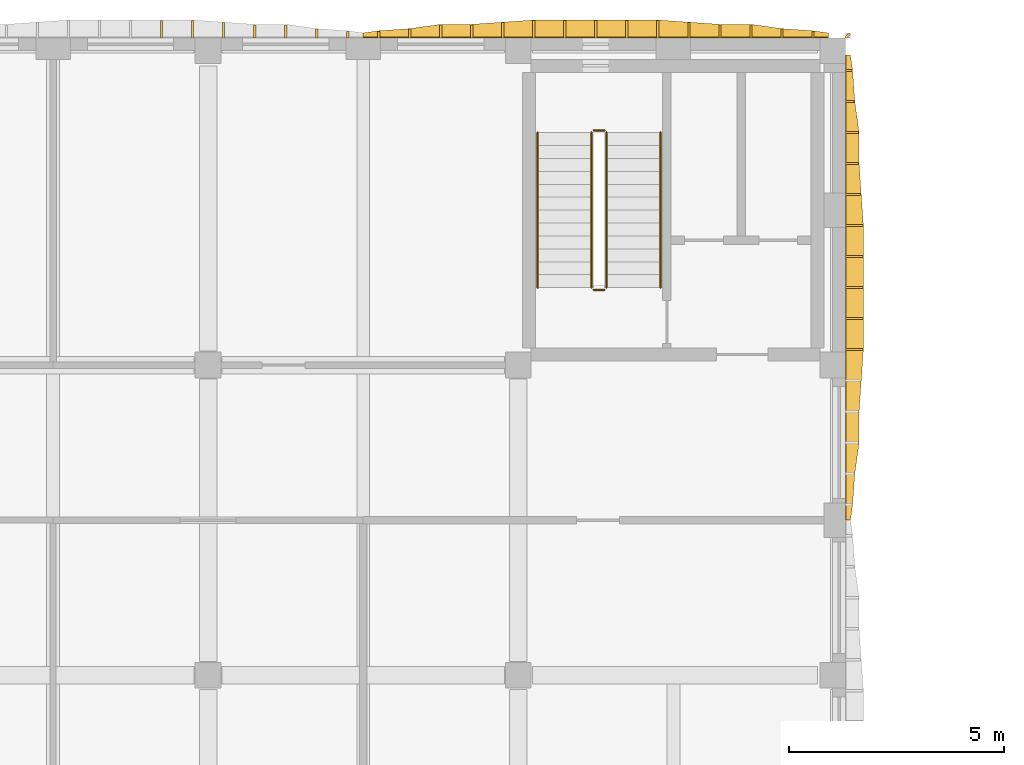
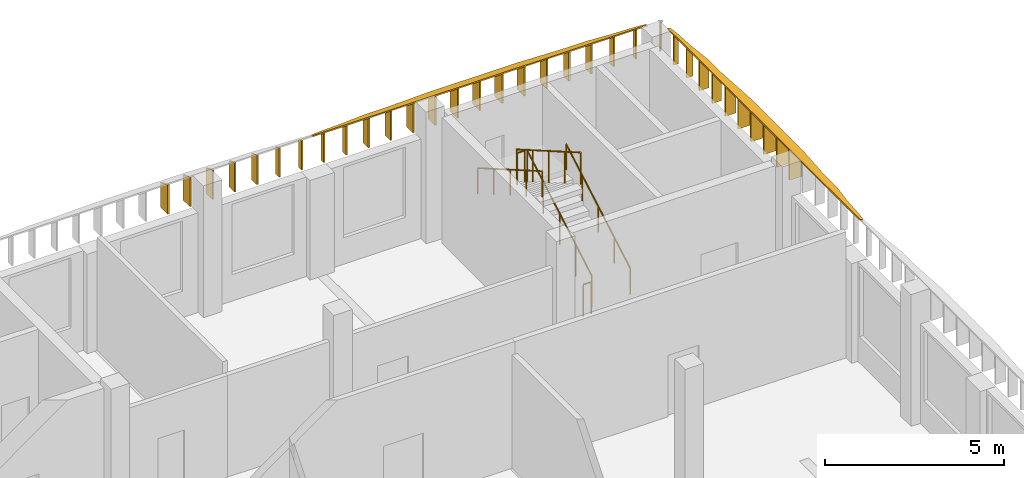
# One storey, part 40 of 44: 35 shading devices, 6 railings.
"""IFC4 building model written with IfcOpenShell, lengths in metres."""

from ifc_helpers import new_model, si_unit, direction, frame, origin, origin_2d, place, context, subcontext, project, spatial, polyline, circle, outline, extrude, material, layer, layer_set, type_object, element, save


model = new_model("IFC4")

# Units and contexts
model_context = context("Model", 3, precision=1e-05, world=origin(), true_north=direction((0.0, 1.0)))
body_context = subcontext(model_context, "Body", "Model", "MODEL_VIEW")
ifc_project = project(units=[si_unit("LENGTHUNIT", "METRE"), si_unit("AREAUNIT", "SQUARE_METRE"), si_unit("VOLUMEUNIT", "CUBIC_METRE"), si_unit("PLANEANGLEUNIT", "RADIAN"), si_unit("MASSUNIT", "GRAM", prefix="KILO")], contexts=[model_context])

# Site, building, storey
site_placement = place(None, origin())
site = spatial("IfcSite", under=ifc_project, at=site_placement, CompositionType="ELEMENT")
building_placement = place(site_placement, origin())
building = spatial("IfcBuilding", under=site, at=building_placement, Name="Ussher Court Research Institute", CompositionType="ELEMENT")
storey_placement = place(building_placement, frame((0.0, 0.0, 18.89990234375)))
storey = spatial("IfcBuildingStorey", under=building, at=storey_placement, Name="L04", CompositionType="ELEMENT", Elevation=18.89990234375)

# Shading devices
ifc_material_1 = material(Name="Bronze anodised aluminium", Category="aluminium")
ifc_layer_1 = layer(ifc_material_1, 0.050048828125)
ifc_layer_set_1 = layer_set([ifc_layer_1], Name="Bronze anodised aluminium")
shading_device_type_1 = type_object("IfcShadingDeviceType", Name="Brim blade 150 mm deep 1000 mm high canted 20 deg dry", PredefinedType="USERDEFINED", material=ifc_layer_set_1)
for number, where, z_axis, x_axis, name in (
    (1, (82.60009765625, 90.0400390625, 3.4501953125), (0.0, 0.0, 1.0), (1.0, 0.0, 0.0), "Brim blade BS16 L04"),
    (2, (71.0400390625, 90.800048828125, 3.4501953125), (0.0, 0.0, 1.0), (0.0, 1.0, 0.0), "Brim blade BS16 L04"),
    (3, (71.760009765625, 90.800048828125, 3.4501953125), (0.0, 0.0, 1.0), (0.0, 1.0, 0.0), "Brim blade BS16 L04"),
    (4, (81.840087890625, 90.800048828125, 3.4501953125), (0.0, 0.0, 1.0), (0.0, 1.0, 0.0), "Brim blade BS16 L04"),
):
    element("IfcShadingDevice", number, at=place(storey_placement, frame(where, z_axis=z_axis, x_axis=x_axis)), inside=storey, type_object=shading_device_type_1, Name=name, ObjectType="BLADE", PredefinedType="USERDEFINED", context=body_context, shape_type="SweptSolid", body=[
        extrude(outline(polyline([(0.0, 0.0), (0.14990234375, 0.0), (0.14990234375, 0.9453125), (0.0, 1.0), (0.0, 0.0)])), frame((0.0, 0.02490234375, 0.0), z_axis=(0.0, -1.0, 0.0), x_axis=(1.0, 0.0, 0.0)), (0.0, 0.0, 1.0), 0.050048828125),
    ])
ifc_material_2 = material(Name="Bronze anodised aluminium", Category="aluminium")
ifc_layer_2 = layer(ifc_material_2, 0.050048828125)
ifc_layer_set_2 = layer_set([ifc_layer_2], Name="Bronze anodised aluminium")
shading_device_type_2 = type_object("IfcShadingDeviceType", Name="Brim blade 200 mm deep 1000 mm high canted 20 deg dry", PredefinedType="USERDEFINED", material=ifc_layer_set_2)
for number, where, z_axis, x_axis, name in (
    (5, (82.60009765625, 89.320068359375, 3.4501953125), (0.0, 0.0, 1.0), (1.0, 0.0, 0.0), "Brim blade BS15 L04"),
    (6, (70.320068359375, 90.800048828125, 3.4501953125), (0.0, 0.0, 1.0), (0.0, 1.0, 0.0), "Brim blade BS15 L04"),
    (7, (72.47998046875, 90.800048828125, 3.4501953125), (0.0, 0.0, 1.0), (0.0, 1.0, 0.0), "Brim blade BS15 L04"),
    (8, (81.1201171875, 90.800048828125, 3.4501953125), (0.0, 0.0, 1.0), (0.0, 1.0, 0.0), "Brim blade BS15 L04"),
):
    element("IfcShadingDevice", number, at=place(storey_placement, frame(where, z_axis=z_axis, x_axis=x_axis)), inside=storey, type_object=shading_device_type_2, Name=name, ObjectType="BLADE", PredefinedType="USERDEFINED", context=body_context, shape_type="SweptSolid", body=[
        extrude(outline(polyline([(0.0, 0.0), (0.199951171875, 0.0), (0.199951171875, 0.927001953125), (0.0, 1.0), (0.0, 0.0)])), frame((0.0, 0.02490234375, 0.0), z_axis=(0.0, -1.0, 0.0), x_axis=(1.0, 0.0, 0.0)), (0.0, 0.0, 1.0), 0.050048828125),
    ])
ifc_material_3 = material(Name="Bronze anodised aluminium", Category="aluminium")
ifc_layer_3 = layer(ifc_material_3, 0.050048828125)
ifc_layer_set_3 = layer_set([ifc_layer_3], Name="Bronze anodised aluminium")
shading_device_type_3 = type_object("IfcShadingDeviceType", Name="Brim blade 300 mm deep 1000 mm high canted 20 deg dry", PredefinedType="USERDEFINED", material=ifc_layer_set_3)
for number, where, z_axis, x_axis, name in (
    (9, (82.60009765625, 88.60009765625, 3.4501953125), (0.0, 0.0, 1.0), (1.0, 0.0, 0.0), "Brim blade BS13 L04"),
    (10, (82.60009765625, 87.8798828125, 3.4501953125), (0.0, 0.0, 1.0), (1.0, 0.0, 0.0), "Brim blade BS13 L04"),
):
    element("IfcShadingDevice", number, at=place(storey_placement, frame(where, z_axis=z_axis, x_axis=x_axis)), inside=storey, type_object=shading_device_type_3, Name=name, ObjectType="BLADE", PredefinedType="USERDEFINED", context=body_context, shape_type="SweptSolid", body=[
        extrude(outline(polyline([(0.0, 0.0), (0.2998046875, 0.0), (0.300048828125, 0.890625), (0.0, 1.0), (0.0, 0.0)])), frame((0.0, 0.02490234375, 0.0), z_axis=(0.0, -1.0, 0.0), x_axis=(1.0, 0.0, 0.0)), (0.0, 0.0, 1.0), 0.050048828125),
    ])
for number, where, z_axis, x_axis, name in (
    (11, (68.8798828125, 90.800048828125, 3.4501953125), (0.0, 0.0, 1.0), (0.0, 1.0, 0.0), "Brim blade BS13 L04"),
    (12, (69.60009765625, 90.800048828125, 3.4501953125), (0.0, 0.0, 1.0), (0.0, 1.0, 0.0), "Brim blade BS13 L04"),
    (13, (73.199951171875, 90.800048828125, 3.4501953125), (0.0, 0.0, 1.0), (0.0, 1.0, 0.0), "Brim blade BS13 L04"),
    (14, (73.919921875, 90.800048828125, 3.4501953125), (0.0, 0.0, 1.0), (0.0, 1.0, 0.0), "Brim blade BS13 L04"),
    (15, (79.679931640625, 90.800048828125, 3.4501953125), (0.0, 0.0, 1.0), (0.0, 1.0, 0.0), "Brim blade BS13 L04"),
    (16, (80.39990234375, 90.800048828125, 3.4501953125), (0.0, 0.0, 1.0), (0.0, 1.0, 0.0), "Brim blade BS13 L04"),
):
    element("IfcShadingDevice", number, at=place(storey_placement, frame(where, z_axis=z_axis, x_axis=x_axis)), inside=storey, type_object=shading_device_type_3, Name=name, ObjectType="BLADE", PredefinedType="USERDEFINED", context=body_context, shape_type="SweptSolid", body=[
        extrude(outline(polyline([(0.0, 0.0), (0.300048828125, 0.0), (0.300048828125, 0.890625), (0.0, 1.0), (0.0, 0.0)])), frame((0.0, 0.02490234375, 0.0), z_axis=(0.0, -1.0, 0.0), x_axis=(1.0, 0.0, 0.0)), (0.0, 0.0, 1.0), 0.050048828125),
    ])
ifc_material_4 = material(Name="Bronze anodised aluminium", Category="aluminium")
ifc_layer_4 = layer(ifc_material_4, 0.050048828125)
ifc_layer_set_4 = layer_set([ifc_layer_4], Name="Bronze anodised aluminium")
shading_device_type_4 = type_object("IfcShadingDeviceType", Name="Brim blade 350 mm deep 1000 mm high canted 20 deg dry", PredefinedType="USERDEFINED", material=ifc_layer_set_4)
for number, where, z_axis, x_axis, name in (
    (17, (82.60009765625, 87.159912109375, 3.4501953125), (0.0, 0.0, 1.0), (1.0, 0.0, 0.0), "Brim blade BS12 L04"),
    (18, (68.159912109375, 90.800048828125, 3.4501953125), (0.0, 0.0, 1.0), (0.0, 1.0, 0.0), "Brim blade BS12 L04"),
    (19, (74.639892578125, 90.800048828125, 3.4501953125), (0.0, 0.0, 1.0), (0.0, 1.0, 0.0), "Brim blade BS12 L04"),
    (20, (78.9599609375, 90.800048828125, 3.4501953125), (0.0, 0.0, 1.0), (0.0, 1.0, 0.0), "Brim blade BS12 L04"),
):
    element("IfcShadingDevice", number, at=place(storey_placement, frame(where, z_axis=z_axis, x_axis=x_axis)), inside=storey, type_object=shading_device_type_4, Name=name, ObjectType="BLADE", PredefinedType="USERDEFINED", context=body_context, shape_type="SweptSolid", body=[
        extrude(outline(polyline([(0.0, 0.0), (0.349853515625, 0.0), (0.35009765625, 0.87255859375), (0.0, 1.0), (0.0, 0.0)])), frame((0.0, 0.02490234375, 0.0), z_axis=(0.0, -1.0, 0.0), x_axis=(1.0, 0.0, 0.0)), (0.0, 0.0, 1.0), 0.050048828125),
    ])
ifc_material_5 = material(Name="Bronze anodised aluminium", Category="aluminium")
ifc_layer_5 = layer(ifc_material_5, 0.050048828125)
ifc_layer_set_5 = layer_set([ifc_layer_5], Name="Bronze anodised aluminium")
shading_device_type_5 = type_object("IfcShadingDeviceType", Name="Brim blade 400 mm deep 1000 mm high canted 20 deg dry", PredefinedType="USERDEFINED", material=ifc_layer_set_5)
for number, where, z_axis, x_axis, name in (
    (21, (82.60009765625, 86.43994140625, 3.4501953125), (0.0, 0.0, 1.0), (1.0, 0.0, 0.0), "Brim blade BS11 L04"),
    (22, (82.60009765625, 85.719970703125, 3.4501953125), (0.0, 0.0, 1.0), (1.0, 0.0, 0.0), "Brim blade BS11 L04"),
    (23, (82.60009765625, 85.0, 3.4501953125), (0.0, 0.0, 1.0), (1.0, 0.0, 0.0), "Brim blade BS11 L04"),
    (24, (82.60009765625, 84.280029296875, 3.4501953125), (0.0, 0.0, 1.0), (1.0, 0.0, 0.0), "Brim blade BS11 L04"),
    (25, (82.60009765625, 83.56005859375, 3.4501953125), (0.0, 0.0, 1.0), (1.0, 0.0, 0.0), "Brim blade BS11 L04"),
    (26, (66.719970703125, 90.800048828125, 3.4501953125), (0.0, 0.0, 1.0), (0.0, 1.0, 0.0), "Brim blade BS11 L04"),
    (27, (67.43994140625, 90.800048828125, 3.4501953125), (0.0, 0.0, 1.0), (0.0, 1.0, 0.0), "Brim blade BS11 L04"),
    (28, (75.360107421875, 90.800048828125, 3.4501953125), (0.0, 0.0, 1.0), (0.0, 1.0, 0.0), "Brim blade BS11 L04"),
    (29, (76.080078125, 90.800048828125, 3.4501953125), (0.0, 0.0, 1.0), (0.0, 1.0, 0.0), "Brim blade BS11 L04"),
    (30, (76.800048828125, 90.800048828125, 3.4501953125), (0.0, 0.0, 1.0), (0.0, 1.0, 0.0), "Brim blade BS11 L04"),
    (31, (77.52001953125, 90.800048828125, 3.4501953125), (0.0, 0.0, 1.0), (0.0, 1.0, 0.0), "Brim blade BS11 L04"),
    (32, (78.239990234375, 90.800048828125, 3.4501953125), (0.0, 0.0, 1.0), (0.0, 1.0, 0.0), "Brim blade BS11 L04"),
):
    element("IfcShadingDevice", number, at=place(storey_placement, frame(where, z_axis=z_axis, x_axis=x_axis)), inside=storey, type_object=shading_device_type_5, Name=name, ObjectType="BLADE", PredefinedType="USERDEFINED", context=body_context, shape_type="SweptSolid", body=[
        extrude(outline(polyline([(0.0, 0.0), (0.39990234375, 0.0), (0.39990234375, 0.854248046875), (0.0, 1.0), (0.0, 0.0)])), frame((0.0, 0.02490234375, 0.0), z_axis=(0.0, -1.0, 0.0), x_axis=(1.0, 0.0, 0.0)), (0.0, 0.0, 1.0), 0.050048828125),
    ])
ifc_material_6 = material(Name="Bronze anodised aluminium", Category="aluminium")
ifc_layer_6 = layer(ifc_material_6, 0.050048828125)
ifc_layer_set_6 = layer_set([ifc_layer_6], Name="Bronze anodised aluminium")
shading_device_type_6 = type_object("IfcShadingDeviceType", Name="Brim mitre blade 100 mm deep 1000 mm high canted 20 deg dry", PredefinedType="USERDEFINED", material=ifc_layer_set_6)
shading_device_1_placement = place(storey_placement, frame((82.60009765625, 90.800048828125, 3.4501953125), z_axis=(0.0, 0.0, 1.0), x_axis=(0.707106781187, 0.707106781187, 0.0)))
element("IfcShadingDevice", 33, at=shading_device_1_placement, inside=storey, type_object=shading_device_type_6, Name="Brim mitre blade BS19 L04", ObjectType="BLADE", PredefinedType="USERDEFINED", context=body_context, shape_type="SweptSolid", body=[
    extrude(outline(polyline([(0.0, 0.0), (0.14111328125, 0.0), (0.141357421875, 0.927001953125), (0.0, 1.0), (0.0, 0.0)])), frame((0.0, 0.02490234375, 0.0), z_axis=(0.0, -1.0, 0.0), x_axis=(1.0, 0.0, 0.0)), (0.0, 0.0, 1.0), 0.050048828125),
])
ifc_material_7 = material(Name="Bronze anodised aluminium", Category="aluminium")
ifc_layer_7 = layer(ifc_material_7, 0.0400390625)
ifc_layer_set_7 = layer_set([ifc_layer_7], Name="Bronze anodised aluminium")
shading_device_type_7 = type_object("IfcShadingDeviceType", Name="Brim visor sheet 40 mm canted 20 deg dry", PredefinedType="USERDEFINED", material=ifc_layer_set_7)
shading_device_2_placement = place(storey_placement, frame((82.61376953125, 90.39990234375, 4.48779296875), z_axis=(0.342477773768, 0.0, 0.939525930709), x_axis=(0.0, -1.0, 0.0)))
element("IfcShadingDevice", 34, at=shading_device_2_placement, inside=storey, type_object=shading_device_type_7, Name="Brim visor sheet BR2 L04", ObjectType="BRIM", PredefinedType="USERDEFINED", context=body_context, shape_type="SweptSolid", body=[
    extrude(outline(polyline([(0.0, 0.0), (10.7998046875, 0.0), (10.7998046875, 0.10627326512487273), (10.43994140625, 0.1595663922801408), (9.719970703125, 0.21285951943540887), (9.0, 0.3193621610082086), (8.27978515625, 0.3193621610082086), (7.559814453125, 0.37234229897781324), (6.83984375, 0.4256354261330813), (6.119873046875, 0.4256354261330813), (5.39990234375, 0.4256354261330813), (4.679931640625, 0.4256354261330813), (3.9599609375, 0.4256354261330813), (3.239990234375, 0.37234229897781324), (2.52001953125, 0.3193621610082086), (1.7998046875, 0.3193621610082086), (1.079833984375, 0.21285951943540887), (0.35986328125, 0.1595663922801408), (0.0, 0.10627326512487273), (0.0, 0.0)])), origin(), (0.0, 0.0, -1.0), 0.0400390625),
])
shading_device_3_placement = place(storey_placement, frame((71.39990234375, 90.813720703125, 4.48779296875), z_axis=(0.0, 0.342437439102, 0.939540632597), x_axis=(1.0, 0.0, 0.0)))
element("IfcShadingDevice", 35, at=shading_device_3_placement, inside=storey, type_object=shading_device_type_7, Name="Brim visor sheet BR2 L04", ObjectType="BRIM", PredefinedType="USERDEFINED", context=body_context, shape_type="SweptSolid", body=[
    extrude(outline(polyline([(0.0, 0.0), (10.800048828125, 0.0), (10.800048828125, 0.1065026459450868), (10.440185546875, 0.15956639032557793), (9.72021484375, 0.21285951474332424), (9.0, 0.319362160688411), (8.280029296875, 0.319362160688411), (7.56005859375, 0.3725716822157515), (6.840087890625, 0.42563542659624265), (6.1201171875, 0.42563542659624265), (5.400146484375, 0.42563542659624265), (4.68017578125, 0.42563542659624265), (3.960205078125, 0.42563542659624265), (3.239990234375, 0.3725716822157515), (2.52001953125, 0.319362160688411), (1.800048828125, 0.319362160688411), (1.080078125, 0.21285951474332424), (0.360107421875, 0.15956639032557793), (0.0, 0.1065026459450868), (0.0, 0.0)])), origin(), (0.0, 0.0, -1.0), 0.0400390625),
])

# Railings
ifc_material_8 = material(Name="Painted steel balustrade", Category="steel")
railing_type_1 = type_object("IfcRailingType", Name="Stair guard 1100 steel balustrade", PredefinedType="GUARDRAIL", material=ifc_material_8)
railing_1_placement = place(storey_placement, frame((77.050048828125, 85.0, 0.173095703125)))
element("IfcRailing", 36, at=railing_1_placement, inside=storey, type_object=railing_type_1, Name="L04 D3 stair guard 1", PredefinedType="GUARDRAIL", context=body_context, shape_type="SweptSolid", body=[
    extrude(circle(Radius=0.02392578125, at=origin_2d()), frame((0.0, 0.0, 1.076171875), z_axis=(0.0, 0.866193409371, 0.499708892819), x_axis=(-1.0, 0.0, 0.0)), (0.0, 0.0, 1.0), 4.15625),
    extrude(circle(Radius=0.02099609375, at=origin_2d()), origin(), (0.0, 0.0, 1.0), 1.052001953125),
    extrude(circle(Radius=0.02099609375, at=origin_2d()), frame((0.0, 0.89990234375, 0.519287109375)), (0.0, 0.0, 1.0), 1.052001953125),
    extrude(circle(Radius=0.02099609375, at=origin_2d()), frame((0.0, 1.800048828125, 1.03857421875)), (0.0, 0.0, 1.0), 1.052001953125),
    extrude(circle(Radius=0.02099609375, at=origin_2d()), frame((0.0, 2.7001953125, 1.5576171875)), (0.0, 0.0, 1.0), 1.052001953125),
    extrude(circle(Radius=0.02099609375, at=origin_2d()), frame((0.0, 3.60009765625, 2.076904296875)), (0.0, 0.0, 1.0), 1.052001953125),
])
railing_2_placement = place(storey_placement, frame((77.0, 88.64990234375, 2.25)))
element("IfcRailing", 37, at=railing_2_placement, inside=storey, type_object=railing_type_1, Name="L04 D3 stair guard 2", PredefinedType="GUARDRAIL", context=body_context, shape_type="SweptSolid", body=[
    extrude(circle(Radius=0.02392578125, at=origin_2d()), frame((0.0, 0.0, 1.076171875), z_axis=(-1.0, 0.0, 0.0), x_axis=(0.0, -1.0, 0.0)), (0.0, 0.0, 1.0), 0.25),
    extrude(circle(Radius=0.02099609375, at=origin_2d()), origin(), (0.0, 0.0, 1.0), 1.052001953125),
    extrude(circle(Radius=0.02099609375, at=origin_2d()), frame((-0.25, 0.0, 0.0)), (0.0, 0.0, 1.0), 1.052001953125),
])
railing_3_placement = place(storey_placement, frame((76.699951171875, 88.60009765625, 2.423095703125)))
element("IfcRailing", 38, at=railing_3_placement, inside=storey, type_object=railing_type_1, Name="L04 D3 stair guard 3", PredefinedType="GUARDRAIL", context=body_context, shape_type="SweptSolid", body=[
    extrude(circle(Radius=0.02392578125, at=origin_2d()), frame((0.0, 0.0, 1.076171875), z_axis=(0.0, -0.866193409371, 0.499708892819), x_axis=(1.0, 0.0, 0.0)), (0.0, 0.0, 1.0), 4.15625),
    extrude(circle(Radius=0.02099609375, at=origin_2d()), origin(), (0.0, 0.0, 1.0), 1.052001953125),
    extrude(circle(Radius=0.02099609375, at=origin_2d()), frame((0.0, -0.89990234375, 0.519287109375)), (0.0, 0.0, 1.0), 1.052001953125),
    extrude(circle(Radius=0.02099609375, at=origin_2d()), frame((0.0, -1.800048828125, 1.03857421875)), (0.0, 0.0, 1.0), 1.052001953125),
    extrude(circle(Radius=0.02099609375, at=origin_2d()), frame((0.0, -2.7001953125, 1.5576171875)), (0.0, 0.0, 1.0), 1.052001953125),
    extrude(circle(Radius=0.02099609375, at=origin_2d()), frame((0.0, -3.60009765625, 2.076904296875)), (0.0, 0.0, 1.0), 1.052001953125),
])
railing_4_placement = place(storey_placement, frame((77.0, 84.949951171875, 0.0)))
element("IfcRailing", 39, at=railing_4_placement, inside=storey, type_object=railing_type_1, Name="L04 D3 stair guard 4", PredefinedType="GUARDRAIL", context=body_context, shape_type="SweptSolid", body=[
    extrude(circle(Radius=0.02392578125, at=origin_2d()), frame((0.0, 0.0, 1.076171875), z_axis=(-1.0, 0.0, 0.0), x_axis=(0.0, -1.0, 0.0)), (0.0, 0.0, 1.0), 0.25),
    extrude(circle(Radius=0.02099609375, at=origin_2d()), origin(), (0.0, 0.0, 1.0), 1.052001953125),
    extrude(circle(Radius=0.02099609375, at=origin_2d()), frame((-0.25, 0.0, 0.0)), (0.0, 0.0, 1.0), 1.052001953125),
])
ifc_material_9 = material(Name="Painted steel handrail", Category="steel")
railing_type_2 = type_object("IfcRailingType", Name="Stair handrail 900 steel", PredefinedType="HANDRAIL", material=ifc_material_9)
railing_5_placement = place(storey_placement, frame((78.300048828125, 85.0, 0.173095703125)))
element("IfcRailing", 40, at=railing_5_placement, inside=storey, type_object=railing_type_2, Name="L04 D3 stair handrail 1", PredefinedType="HANDRAIL", context=body_context, shape_type="SweptSolid", body=[
    extrude(circle(Radius=0.02392578125, at=origin_2d()), frame((0.0, 0.0, 0.8759765625), z_axis=(0.0, 0.866193409371, 0.499708892819), x_axis=(-1.0, 0.0, 0.0)), (0.0, 0.0, 1.0), 4.15625),
    extrude(circle(Radius=0.02099609375, at=origin_2d()), origin(), (0.0, 0.0, 1.0), 0.851806640625),
    extrude(circle(Radius=0.02099609375, at=origin_2d()), frame((0.0, 0.89990234375, 0.519287109375)), (0.0, 0.0, 1.0), 0.851806640625),
    extrude(circle(Radius=0.02099609375, at=origin_2d()), frame((0.0, 1.800048828125, 1.03857421875)), (0.0, 0.0, 1.0), 0.851806640625),
    extrude(circle(Radius=0.02099609375, at=origin_2d()), frame((0.0, 2.7001953125, 1.5576171875)), (0.0, 0.0, 1.0), 0.851806640625),
    extrude(circle(Radius=0.02099609375, at=origin_2d()), frame((0.0, 3.60009765625, 2.076904296875)), (0.0, 0.0, 1.0), 0.851806640625),
])
railing_6_placement = place(storey_placement, frame((75.449951171875, 88.60009765625, 2.423095703125)))
element("IfcRailing", 41, at=railing_6_placement, inside=storey, type_object=railing_type_2, Name="L04 D3 stair handrail 2", PredefinedType="HANDRAIL", context=body_context, shape_type="SweptSolid", body=[
    extrude(circle(Radius=0.02392578125, at=origin_2d()), frame((0.0, 0.0, 0.8759765625), z_axis=(0.0, -0.866193409371, 0.499708892819), x_axis=(1.0, 0.0, 0.0)), (0.0, 0.0, 1.0), 4.15625),
    extrude(circle(Radius=0.02099609375, at=origin_2d()), origin(), (0.0, 0.0, 1.0), 0.851806640625),
    extrude(circle(Radius=0.02099609375, at=origin_2d()), frame((0.0, -0.89990234375, 0.519287109375)), (0.0, 0.0, 1.0), 0.851806640625),
    extrude(circle(Radius=0.02099609375, at=origin_2d()), frame((0.0, -1.800048828125, 1.03857421875)), (0.0, 0.0, 1.0), 0.851806640625),
    extrude(circle(Radius=0.02099609375, at=origin_2d()), frame((0.0, -2.7001953125, 1.5576171875)), (0.0, 0.0, 1.0), 0.851806640625),
    extrude(circle(Radius=0.02099609375, at=origin_2d()), frame((0.0, -3.60009765625, 2.076904296875)), (0.0, 0.0, 1.0), 0.851806640625),
])

save(model, "model.ifc")
